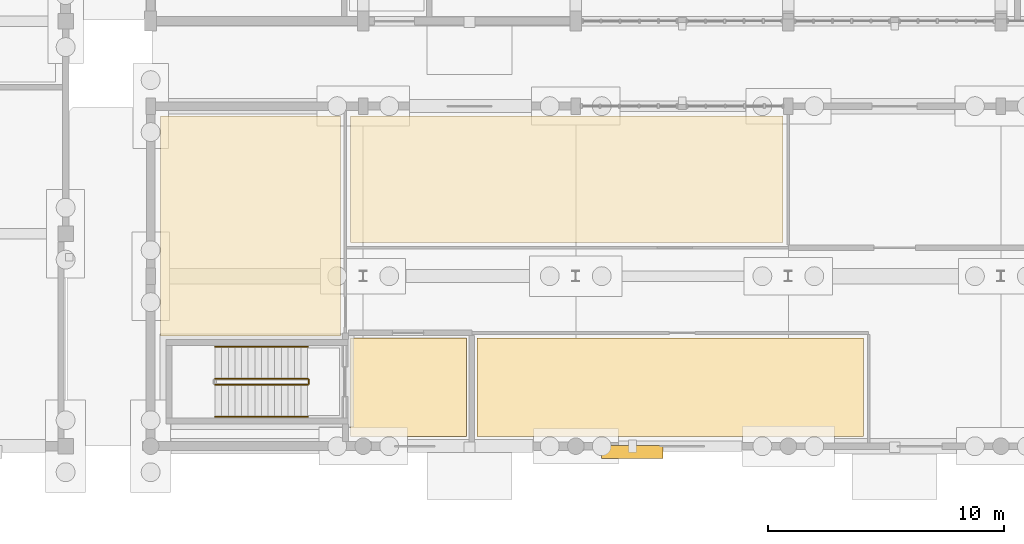
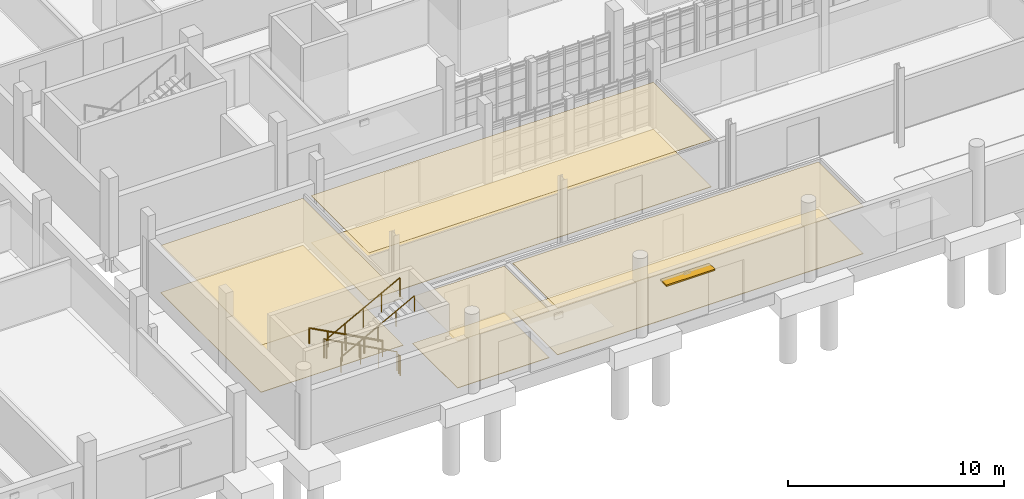
# One storey, part 53 of 63: 8 coverings, 5 railings, 1 shading device.
"""IFC4 building model written with IfcOpenShell, lengths in metres."""

from ifc_helpers import new_model, si_unit, direction, frame, origin, origin_2d, place, context, subcontext, project, spatial, polyline, rectangle, circle, outline, extrude, material, layer, layer_set, type_object, element, save


model = new_model("IFC4")

# Units and contexts
model_context = context("Model", 3, precision=1e-05, world=origin(), true_north=direction((0.0, 1.0)))
body_context = subcontext(model_context, "Body", "Model", "MODEL_VIEW")
ifc_project = project(units=[si_unit("LENGTHUNIT", "METRE"), si_unit("AREAUNIT", "SQUARE_METRE"), si_unit("VOLUMEUNIT", "CUBIC_METRE"), si_unit("PLANEANGLEUNIT", "RADIAN"), si_unit("MASSUNIT", "GRAM", prefix="KILO")], contexts=[model_context])

# Site, building, storey
site_placement = place(None, origin())
site = spatial("IfcSite", under=ifc_project, at=site_placement, CompositionType="ELEMENT")
building_placement = place(site_placement, origin())
building = spatial("IfcBuilding", under=site, at=building_placement, Name="Serraforn Aerial Cableway Station", CompositionType="ELEMENT")
storey_placement = place(building_placement, origin())
storey = spatial("IfcBuildingStorey", under=building, at=storey_placement, Name="L00", CompositionType="ELEMENT", Elevation=0.0)

# Coverings
ifc_material_1 = material(Name="Perforated acoustic mineral ceiling")
ifc_layer_1 = layer(ifc_material_1, 0.02490234375)
ifc_layer_set_1 = layer_set([ifc_layer_1], Name="Perforated acoustic mineral ceiling")
covering_type_1 = type_object("IfcCoveringType", Name="COV-CLG-AC", PredefinedType="CEILING", material=ifc_layer_set_1)
covering_1_placement = place(storey_placement, frame((0.0, 0.0, 2.659912109375)))
element("IfcCovering", 1, at=covering_1_placement, inside=storey, type_object=covering_type_1, Name="Suspended Ceiling L00-08", PredefinedType="CEILING", context=body_context, shape_type="SweptSolid", body=[
    extrude(outline(polyline([(28.02001953125, 4.669921875), (28.02001953125, 13.97998046875), (35.6298828125, 13.97998046875), (35.6298828125, 4.669921875), (28.02001953125, 4.669921875)])), origin(), (0.0, 0.0, 1.0), 0.025146484375),
])
covering_2_placement = place(storey_placement, frame((0.0, 0.0, 2.659912109375)))
element("IfcCovering", 2, at=covering_2_placement, inside=storey, type_object=covering_type_1, Name="Suspended Ceiling L00-09", PredefinedType="CEILING", context=body_context, shape_type="SweptSolid", body=[
    extrude(outline(polyline([(36.070068359375, 8.6201171875), (36.070068359375, 13.97998046875), (54.3798828125, 13.97998046875), (54.3798828125, 8.6201171875), (36.070068359375, 8.6201171875)])), origin(), (0.0, 0.0, 1.0), 0.025146484375),
])
ifc_material_2 = material(Name="Fire-protective gypsum board ceiling")
ifc_layer_2 = layer(ifc_material_2, 0.02001953125)
ifc_layer_set_2 = layer_set([ifc_layer_2], Name="Fire-protective gypsum board ceiling")
covering_type_2 = type_object("IfcCoveringType", Name="COV-CLG-GYP", PredefinedType="CEILING", material=ifc_layer_set_2)
covering_3_placement = place(storey_placement, frame((0.0, 0.0, 2.659912109375)))
element("IfcCovering", 3, at=covering_3_placement, inside=storey, type_object=covering_type_2, Name="Suspended Ceiling L00-26", PredefinedType="CEILING", context=body_context, shape_type="SweptSolid", body=[
    extrude(outline(polyline([(36.070068359375, 0.419921875), (36.070068359375, 4.580078125), (40.97998046875, 4.580078125), (40.97998046875, 0.419921875), (36.070068359375, 0.419921875)])), origin(), (0.0, 0.0, 1.0), 0.02001953125),
])
ifc_material_3 = material(Name="Slatted Catalan chestnut acoustic ceiling")
ifc_layer_3 = layer(ifc_material_3, 0.034912109375)
ifc_layer_set_3 = layer_set([ifc_layer_3], Name="Slatted Catalan chestnut acoustic ceiling")
covering_type_3 = type_object("IfcCoveringType", Name="COV-CLG-WD", PredefinedType="CEILING", material=ifc_layer_set_3)
covering_4_placement = place(storey_placement, frame((0.0, 0.0, 2.659912109375)))
element("IfcCovering", 4, at=covering_4_placement, inside=storey, type_object=covering_type_3, Name="Suspended Ceiling L00-06", PredefinedType="CEILING", context=body_context, shape_type="SweptSolid", body=[
    extrude(outline(polyline([(41.419921875, 4.580078125), (57.780029296875, 4.580078125), (57.780029296875, 0.419921875), (41.419921875, 0.419921875), (41.419921875, 4.580078125)])), origin(), (0.0, 0.0, 1.0), 0.03515625),
])
ifc_material_4 = material(Name="Honed Montjuic limestone flooring", Category="masonry")
ifc_layer_4 = layer(ifc_material_4, 0.030029296875)
ifc_layer_set_4 = layer_set([ifc_layer_4], Name="Honed Montjuic limestone flooring")
covering_type_4 = type_object("IfcCoveringType", Name="COV-FLR-STN", PredefinedType="FLOORING", material=ifc_layer_set_4)
covering_5_placement = place(storey_placement, origin())
element("IfcCovering", 5, at=covering_5_placement, inside=storey, type_object=covering_type_4, Name="Flooring L00-26", PredefinedType="FLOORING", context=body_context, shape_type="SweptSolid", body=[
    extrude(outline(polyline([(36.070068359375, 0.419921875), (36.070068359375, 4.580078125), (40.97998046875, 4.580078125), (40.97998046875, 0.419921875), (36.070068359375, 0.419921875)])), origin(), (0.0, 0.0, 1.0), 0.030029296875),
])
covering_6_placement = place(storey_placement, origin())
element("IfcCovering", 6, at=covering_6_placement, inside=storey, type_object=covering_type_4, Name="Flooring L00-06", PredefinedType="FLOORING", context=body_context, shape_type="SweptSolid", body=[
    extrude(outline(polyline([(41.419921875, 4.580078125), (57.780029296875, 4.580078125), (57.780029296875, 0.419921875), (41.419921875, 0.419921875), (41.419921875, 4.580078125)])), origin(), (0.0, 0.0, 1.0), 0.030029296875),
])
ifc_material_5 = material(Name="Catalan geometric terrazzo tile flooring")
ifc_layer_5 = layer(ifc_material_5, 0.02490234375)
ifc_layer_set_5 = layer_set([ifc_layer_5], Name="Catalan geometric terrazzo tile flooring")
covering_type_5 = type_object("IfcCoveringType", Name="COV-FLR-TER", PredefinedType="FLOORING", material=ifc_layer_set_5)
covering_7_placement = place(storey_placement, origin())
element("IfcCovering", 7, at=covering_7_placement, inside=storey, type_object=covering_type_5, Name="Flooring L00-08", PredefinedType="FLOORING", context=body_context, shape_type="SweptSolid", body=[
    extrude(outline(polyline([(28.02001953125, 4.669921875), (28.02001953125, 13.97998046875), (35.6298828125, 13.97998046875), (35.6298828125, 4.669921875), (28.02001953125, 4.669921875)])), origin(), (0.0, 0.0, 1.0), 0.02490234375),
])
covering_8_placement = place(storey_placement, origin())
element("IfcCovering", 8, at=covering_8_placement, inside=storey, type_object=covering_type_5, Name="Flooring L00-09", PredefinedType="FLOORING", context=body_context, shape_type="SweptSolid", body=[
    extrude(outline(polyline([(36.070068359375, 8.6201171875), (36.070068359375, 13.97998046875), (54.3798828125, 13.97998046875), (54.3798828125, 8.6201171875), (36.070068359375, 8.6201171875)])), origin(), (0.0, 0.0, 1.0), 0.02490234375),
])

# Railings
ifc_material_6 = material(Name="Patinated bronze stair guardrail")
ifc_layer_6 = layer(ifc_material_6, 0.050048828125)
ifc_layer_set_6 = layer_set([ifc_layer_6], Name="Patinated bronze stair guardrail")
railing_type_1 = type_object("IfcRailingType", Name="RL-STR-GRD", PredefinedType="GUARDRAIL", material=ifc_layer_set_6)
railing_1_placement = place(storey_placement, frame((34.25, 2.860107421875, 0.14990234375)))
element("IfcRailing", 9, at=railing_1_placement, inside=storey, type_object=railing_type_1, Name="L00 ST-06 stair guard 1", PredefinedType="GUARDRAIL", context=body_context, shape_type="SweptSolid", body=[
    extrude(circle(Radius=0.02392578125, at=origin_2d()), frame((0.0, 0.0, 1.076171875), z_axis=(-0.881466911329, 0.0, 0.472245787945), x_axis=(0.0, -1.0, 0.0)), (0.0, 0.0, 1.0), 4.447021484375),
    extrude(circle(Radius=0.02099609375, at=origin_2d()), origin(), (0.0, 0.0, 1.0), 1.052001953125),
    extrude(circle(Radius=0.02099609375, at=origin_2d()), frame((-0.97998046875, 0.0, 0.52490234375)), (0.0, 0.0, 1.0), 1.052001953125),
    extrude(circle(Radius=0.02099609375, at=origin_2d()), frame((-1.9599609375, 0.0, 1.050048828125)), (0.0, 0.0, 1.0), 1.052001953125),
    extrude(circle(Radius=0.02099609375, at=origin_2d()), frame((-2.93994140625, 0.0, 1.5751953125)), (0.0, 0.0, 1.0), 1.052001953125),
    extrude(circle(Radius=0.02099609375, at=origin_2d()), frame((-3.919921875, 0.0, 2.10009765625)), (0.0, 0.0, 1.0), 1.052001953125),
])
railing_2_placement = place(storey_placement, frame((30.330078125, 2.60009765625, 2.39990234375)))
element("IfcRailing", 10, at=railing_2_placement, inside=storey, type_object=railing_type_1, Name="L00 ST-06 stair guard 3", PredefinedType="GUARDRAIL", context=body_context, shape_type="SweptSolid", body=[
    extrude(circle(Radius=0.02392578125, at=origin_2d()), frame((0.0, 0.0, 1.076171875), z_axis=(0.881466911329, 0.0, 0.472245787945), x_axis=(0.0, 1.0, 0.0)), (0.0, 0.0, 1.0), 4.447021484375),
    extrude(circle(Radius=0.02099609375, at=origin_2d()), origin(), (0.0, 0.0, 1.0), 1.052001953125),
    extrude(circle(Radius=0.02099609375, at=origin_2d()), frame((0.97998046875, 0.0, 0.52490234375)), (0.0, 0.0, 1.0), 1.052001953125),
    extrude(circle(Radius=0.02099609375, at=origin_2d()), frame((1.9599609375, 0.0, 1.050048828125)), (0.0, 0.0, 1.0), 1.052001953125),
    extrude(circle(Radius=0.02099609375, at=origin_2d()), frame((2.93994140625, 0.0, 1.5751953125)), (0.0, 0.0, 1.0), 1.052001953125),
    extrude(circle(Radius=0.02099609375, at=origin_2d()), frame((3.919921875, 0.0, 2.10009765625)), (0.0, 0.0, 1.0), 1.052001953125),
])
railing_3_placement = place(storey_placement, frame((34.300048828125, 2.81005859375, 0.0)))
element("IfcRailing", 11, at=railing_3_placement, inside=storey, type_object=railing_type_1, Name="L00 ST-06 stair guard 4", PredefinedType="GUARDRAIL", context=body_context, shape_type="SweptSolid", body=[
    extrude(circle(Radius=0.02392578125, at=origin_2d()), frame((0.0, 0.0, 1.076171875), z_axis=(0.0, -1.0, 0.0), x_axis=(1.0, 0.0, 0.0)), (0.0, 0.0, 1.0), 0.16015625),
    extrude(circle(Radius=0.02099609375, at=origin_2d()), origin(), (0.0, 0.0, 1.0), 1.052001953125),
    extrude(circle(Radius=0.02099609375, at=origin_2d()), frame((0.0, -0.16015625, 0.0)), (0.0, 0.0, 1.0), 1.052001953125),
])
ifc_material_7 = material(Name="Brushed bronze tubular handrail")
ifc_layer_7 = layer(ifc_material_7, 0.048095703125)
ifc_layer_set_7 = layer_set([ifc_layer_7], Name="Brushed bronze tubular handrail")
railing_type_2 = type_object("IfcRailingType", Name="RL-STR-HDR", PredefinedType="HANDRAIL", material=ifc_layer_set_7)
railing_4_placement = place(storey_placement, frame((34.25, 4.2099609375, 0.14990234375)))
element("IfcRailing", 12, at=railing_4_placement, inside=storey, type_object=railing_type_2, Name="L00 ST-06 stair handrail 1", PredefinedType="HANDRAIL", context=body_context, shape_type="SweptSolid", body=[
    extrude(circle(Radius=0.02392578125, at=origin_2d()), frame((0.0, 0.0, 0.8759765625), z_axis=(-0.881466911329, 0.0, 0.472245787945), x_axis=(0.0, -1.0, 0.0)), (0.0, 0.0, 1.0), 4.447021484375),
    extrude(circle(Radius=0.02099609375, at=origin_2d()), origin(), (0.0, 0.0, 1.0), 0.851806640625),
    extrude(circle(Radius=0.02099609375, at=origin_2d()), frame((-0.97998046875, 0.0, 0.52490234375)), (0.0, 0.0, 1.0), 0.851806640625),
    extrude(circle(Radius=0.02099609375, at=origin_2d()), frame((-1.9599609375, 0.0, 1.050048828125)), (0.0, 0.0, 1.0), 0.851806640625),
    extrude(circle(Radius=0.02099609375, at=origin_2d()), frame((-2.93994140625, 0.0, 1.5751953125)), (0.0, 0.0, 1.0), 0.851806640625),
    extrude(circle(Radius=0.02099609375, at=origin_2d()), frame((-3.919921875, 0.0, 2.10009765625)), (0.0, 0.0, 1.0), 0.851806640625),
])
railing_5_placement = place(storey_placement, frame((30.330078125, 1.25, 2.39990234375)))
element("IfcRailing", 13, at=railing_5_placement, inside=storey, type_object=railing_type_2, Name="L00 ST-06 stair handrail 2", PredefinedType="HANDRAIL", context=body_context, shape_type="SweptSolid", body=[
    extrude(circle(Radius=0.02392578125, at=origin_2d()), frame((0.0, 0.0, 0.8759765625), z_axis=(0.881466911329, 0.0, 0.472245787945), x_axis=(0.0, 1.0, 0.0)), (0.0, 0.0, 1.0), 4.447021484375),
    extrude(circle(Radius=0.02099609375, at=origin_2d()), origin(), (0.0, 0.0, 1.0), 0.851806640625),
    extrude(circle(Radius=0.02099609375, at=origin_2d()), frame((0.97998046875, 0.0, 0.52490234375)), (0.0, 0.0, 1.0), 0.851806640625),
    extrude(circle(Radius=0.02099609375, at=origin_2d()), frame((1.9599609375, 0.0, 1.050048828125)), (0.0, 0.0, 1.0), 0.851806640625),
    extrude(circle(Radius=0.02099609375, at=origin_2d()), frame((2.93994140625, 0.0, 1.5751953125)), (0.0, 0.0, 1.0), 0.851806640625),
    extrude(circle(Radius=0.02099609375, at=origin_2d()), frame((3.919921875, 0.0, 2.10009765625)), (0.0, 0.0, 1.0), 0.851806640625),
])

# Shading device
ifc_material_8 = material(Name="Anodised bronze solar brise-soleil louvre")
ifc_layer_8 = layer(ifc_material_8, 0.080078125)
ifc_layer_set_8 = layer_set([ifc_layer_8], Name="Anodised bronze solar brise-soleil louvre")
shading_device_type = type_object("IfcShadingDeviceType", Name="SHD-LOUVRE", PredefinedType="USERDEFINED", material=ifc_layer_set_8)
shading_device_placement = place(storey_placement, frame((48.0, -0.25, 2.60986328125), z_axis=(0.0, 0.0, 1.0), x_axis=(1.0, 0.0, 0.0)))
element("IfcShadingDevice", 14, at=shading_device_placement, inside=storey, type_object=shading_device_type, Name="Art Deco Bronze Brise-Soleil 02", ObjectType="SUNSHADE", PredefinedType="USERDEFINED", context=body_context, shape_type="SweptSolid", body=[
    extrude(rectangle(XDim=2.60009765625, YDim=0.550048828125, at=origin_2d()), origin(), (0.0, 0.0, 1.0), 0.080078125),
])

save(model, "model.ifc")
